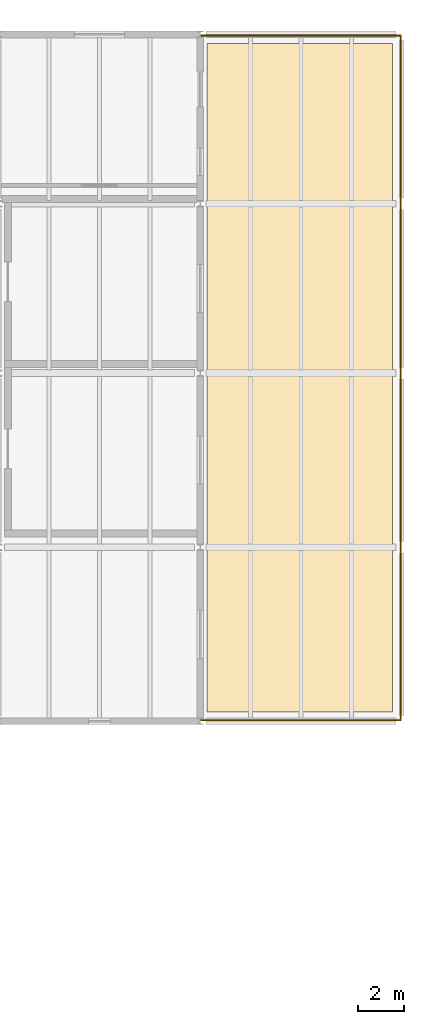
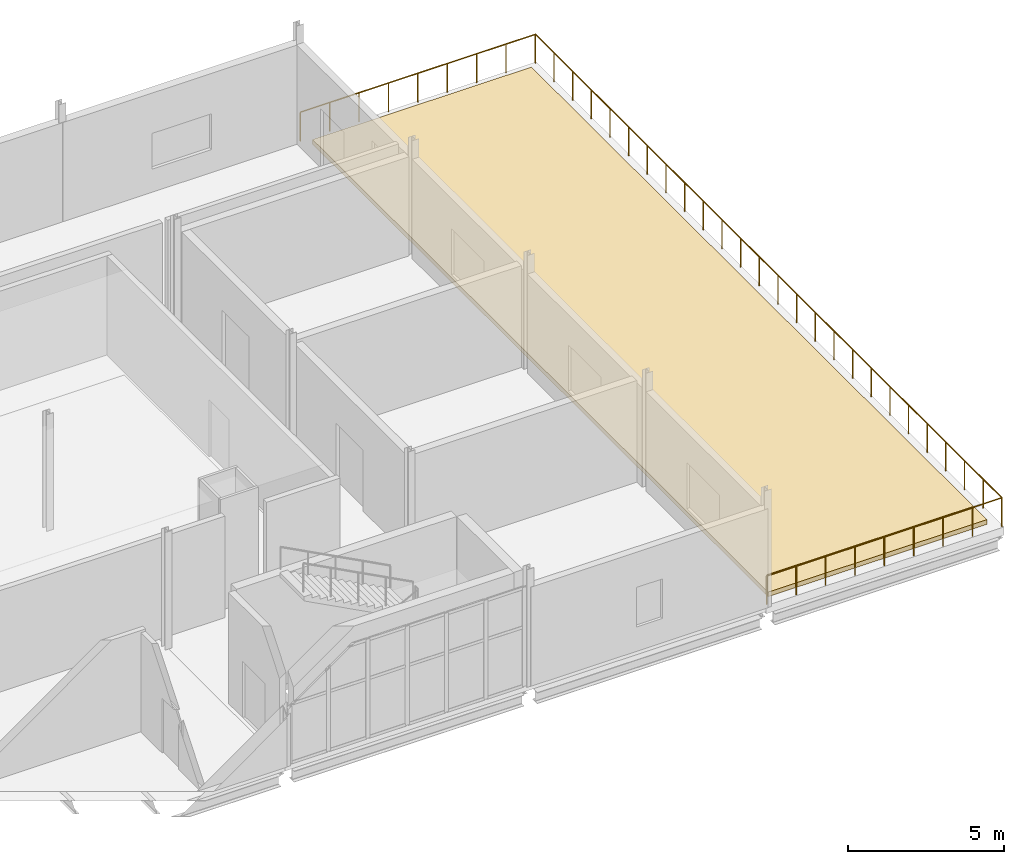
# One storey, part 37 of 37: 1 covering, 1 railing.
"""IFC4 building model written with IfcOpenShell, lengths in metres."""

from ifc_helpers import new_model, si_unit, direction, frame, origin, origin_2d, place, context, subcontext, project, spatial, polyline, circle, outline, extrude, material, layer, layer_set, type_object, element, save


model = new_model("IFC4")

# Units and contexts
model_context = context("Model", 3, precision=1e-05, world=origin(), true_north=direction((0.0, 1.0)))
body_context = subcontext(model_context, "Body", "Model", "MODEL_VIEW")
ifc_project = project(units=[si_unit("LENGTHUNIT", "METRE"), si_unit("AREAUNIT", "SQUARE_METRE"), si_unit("VOLUMEUNIT", "CUBIC_METRE"), si_unit("PLANEANGLEUNIT", "RADIAN"), si_unit("MASSUNIT", "GRAM", prefix="KILO")], contexts=[model_context])

# Site, building, storey
site_placement = place(None, origin())
site = spatial("IfcSite", under=ifc_project, at=site_placement, CompositionType="ELEMENT")
building_placement = place(site_placement, origin())
building = spatial("IfcBuilding", under=site, at=building_placement, Name="Shengluoqiao Park Theatre", CompositionType="ELEMENT")
storey_placement = place(building_placement, frame((0.0, 0.0, 19.199951171875)))
storey = spatial("IfcBuildingStorey", under=building, at=storey_placement, Name="L04", CompositionType="ELEMENT", Elevation=19.199951171875)

# Covering
ifc_material_1 = material(Name="Planted roof substrate")
ifc_layer = layer(ifc_material_1, 0.179931640625, Name="Planted roof substrate")
ifc_layer_set = layer_set([ifc_layer], Name="Planted roof substrate")
covering_type = type_object("IfcCoveringType", Name="ENV-COV-RFGRN", PredefinedType="ROOFING", material=ifc_layer_set)
covering_placement = place(storey_placement, origin())
element("IfcCovering", 1, at=covering_placement, inside=storey, type_object=covering_type, Name="V6 East Planted Roof Garden Substrate Layer", PredefinedType="ROOFING", context=body_context, shape_type="SweptSolid", body=[
    extrude(outline(polyline([(157.5, 84.39990234375), (165.60009765625, 84.39990234375), (165.60009765625, 113.60009765625), (157.5, 113.60009765625), (157.5, 84.39990234375)])), origin(), (0.0, 0.0, 1.0), 0.179931640625),
])

# Railing
ifc_material_2 = material(Name="Stainless steel 316", Category="steel")
railing_type = type_object("IfcRailingType", Name="ENV-RL-GRD115", PredefinedType="GUARDRAIL", material=ifc_material_2)
railing_placement = place(storey_placement, frame((157.25, 84.050048828125, 0.0)))
element("IfcRailing", 2, at=railing_placement, inside=storey, type_object=railing_type, Name="V6 East Planted Roof Garden Safety Guardrail", PredefinedType="GUARDRAIL", context=body_context, shape_type="SweptSolid", body=[
    extrude(circle(Radius=0.02392578125, at=origin_2d()), frame((0.0, 0.0, 1.1259765625), z_axis=(1.0, 0.0, 0.0), x_axis=(0.0, 1.0, 0.0)), (0.0, 0.0, 1.0), 8.699951171875),
    extrude(circle(Radius=0.02392578125, at=origin_2d()), frame((8.699951171875, 0.0, 1.1259765625), z_axis=(0.0, 1.0, 0.0), x_axis=(-1.0, 0.0, 0.0)), (0.0, 0.0, 1.0), 29.89990234375),
    extrude(circle(Radius=0.02392578125, at=origin_2d()), frame((8.699951171875, 29.89990234375, 1.1259765625), z_axis=(-1.0, 0.0, 0.0), x_axis=(0.0, -1.0, 0.0)), (0.0, 0.0, 1.0), 8.699951171875),
    extrude(circle(Radius=0.02099609375, at=origin_2d()), origin(), (0.0, 0.0, 1.0), 1.101806640625),
    extrude(circle(Radius=0.02099609375, at=origin_2d()), frame((1.08740234375, 0.0, 0.0)), (0.0, 0.0, 1.0), 1.101806640625),
    extrude(circle(Radius=0.02099609375, at=origin_2d()), frame((2.175048828125, 0.0, 0.0)), (0.0, 0.0, 1.0), 1.101806640625),
    extrude(circle(Radius=0.02099609375, at=origin_2d()), frame((3.262451171875, 0.0, 0.0)), (0.0, 0.0, 1.0), 1.101806640625),
    extrude(circle(Radius=0.02099609375, at=origin_2d()), frame((4.35009765625, 0.0, 0.0)), (0.0, 0.0, 1.0), 1.101806640625),
    extrude(circle(Radius=0.02099609375, at=origin_2d()), frame((5.4375, 0.0, 0.0)), (0.0, 0.0, 1.0), 1.101806640625),
    extrude(circle(Radius=0.02099609375, at=origin_2d()), frame((6.52490234375, 0.0, 0.0)), (0.0, 0.0, 1.0), 1.101806640625),
    extrude(circle(Radius=0.02099609375, at=origin_2d()), frame((7.612548828125, 0.0, 0.0)), (0.0, 0.0, 1.0), 1.101806640625),
    extrude(circle(Radius=0.02099609375, at=origin_2d()), frame((8.699951171875, 0.0, 0.0)), (0.0, 0.0, 1.0), 1.101806640625),
    extrude(circle(Radius=0.02099609375, at=origin_2d()), frame((8.699951171875, 1.196044921875, 0.0)), (0.0, 0.0, 1.0), 1.101806640625),
    extrude(circle(Radius=0.02099609375, at=origin_2d()), frame((8.699951171875, 2.39208984375, 0.0)), (0.0, 0.0, 1.0), 1.101806640625),
    extrude(circle(Radius=0.02099609375, at=origin_2d()), frame((8.699951171875, 3.587890625, 0.0)), (0.0, 0.0, 1.0), 1.101806640625),
    extrude(circle(Radius=0.02099609375, at=origin_2d()), frame((8.699951171875, 4.783935546875, 0.0)), (0.0, 0.0, 1.0), 1.101806640625),
    extrude(circle(Radius=0.02099609375, at=origin_2d()), frame((8.699951171875, 5.97998046875, 0.0)), (0.0, 0.0, 1.0), 1.101806640625),
    extrude(circle(Radius=0.02099609375, at=origin_2d()), frame((8.699951171875, 7.176025390625, 0.0)), (0.0, 0.0, 1.0), 1.101806640625),
    extrude(circle(Radius=0.02099609375, at=origin_2d()), frame((8.699951171875, 8.3720703125, 0.0)), (0.0, 0.0, 1.0), 1.101806640625),
    extrude(circle(Radius=0.02099609375, at=origin_2d()), frame((8.699951171875, 9.56787109375, 0.0)), (0.0, 0.0, 1.0), 1.101806640625),
    extrude(circle(Radius=0.02099609375, at=origin_2d()), frame((8.699951171875, 10.763916015625, 0.0)), (0.0, 0.0, 1.0), 1.101806640625),
    extrude(circle(Radius=0.02099609375, at=origin_2d()), frame((8.699951171875, 11.9599609375, 0.0)), (0.0, 0.0, 1.0), 1.101806640625),
    extrude(circle(Radius=0.02099609375, at=origin_2d()), frame((8.699951171875, 13.156005859375, 0.0)), (0.0, 0.0, 1.0), 1.101806640625),
    extrude(circle(Radius=0.02099609375, at=origin_2d()), frame((8.699951171875, 14.35205078125, 0.0)), (0.0, 0.0, 1.0), 1.101806640625),
    extrude(circle(Radius=0.02099609375, at=origin_2d()), frame((8.699951171875, 15.5478515625, 0.0)), (0.0, 0.0, 1.0), 1.101806640625),
    extrude(circle(Radius=0.02099609375, at=origin_2d()), frame((8.699951171875, 16.743896484375, 0.0)), (0.0, 0.0, 1.0), 1.101806640625),
    extrude(circle(Radius=0.02099609375, at=origin_2d()), frame((8.699951171875, 17.93994140625, 0.0)), (0.0, 0.0, 1.0), 1.101806640625),
    extrude(circle(Radius=0.02099609375, at=origin_2d()), frame((8.699951171875, 19.135986328125, 0.0)), (0.0, 0.0, 1.0), 1.101806640625),
    extrude(circle(Radius=0.02099609375, at=origin_2d()), frame((8.699951171875, 20.33203125, 0.0)), (0.0, 0.0, 1.0), 1.101806640625),
    extrude(circle(Radius=0.02099609375, at=origin_2d()), frame((8.699951171875, 21.52783203125, 0.0)), (0.0, 0.0, 1.0), 1.101806640625),
    extrude(circle(Radius=0.02099609375, at=origin_2d()), frame((8.699951171875, 22.723876953125, 0.0)), (0.0, 0.0, 1.0), 1.101806640625),
    extrude(circle(Radius=0.02099609375, at=origin_2d()), frame((8.699951171875, 23.919921875, 0.0)), (0.0, 0.0, 1.0), 1.101806640625),
    extrude(circle(Radius=0.02099609375, at=origin_2d()), frame((8.699951171875, 25.115966796875, 0.0)), (0.0, 0.0, 1.0), 1.101806640625),
    extrude(circle(Radius=0.02099609375, at=origin_2d()), frame((8.699951171875, 26.31201171875, 0.0)), (0.0, 0.0, 1.0), 1.101806640625),
    extrude(circle(Radius=0.02099609375, at=origin_2d()), frame((8.699951171875, 27.5078125, 0.0)), (0.0, 0.0, 1.0), 1.101806640625),
    extrude(circle(Radius=0.02099609375, at=origin_2d()), frame((8.699951171875, 28.703857421875, 0.0)), (0.0, 0.0, 1.0), 1.101806640625),
    extrude(circle(Radius=0.02099609375, at=origin_2d()), frame((8.699951171875, 29.89990234375, 0.0)), (0.0, 0.0, 1.0), 1.101806640625),
    extrude(circle(Radius=0.02099609375, at=origin_2d()), frame((7.612548828125, 29.89990234375, 0.0)), (0.0, 0.0, 1.0), 1.101806640625),
    extrude(circle(Radius=0.02099609375, at=origin_2d()), frame((6.52490234375, 29.89990234375, 0.0)), (0.0, 0.0, 1.0), 1.101806640625),
    extrude(circle(Radius=0.02099609375, at=origin_2d()), frame((5.4375, 29.89990234375, 0.0)), (0.0, 0.0, 1.0), 1.101806640625),
    extrude(circle(Radius=0.02099609375, at=origin_2d()), frame((4.35009765625, 29.89990234375, 0.0)), (0.0, 0.0, 1.0), 1.101806640625),
    extrude(circle(Radius=0.02099609375, at=origin_2d()), frame((3.262451171875, 29.89990234375, 0.0)), (0.0, 0.0, 1.0), 1.101806640625),
    extrude(circle(Radius=0.02099609375, at=origin_2d()), frame((2.175048828125, 29.89990234375, 0.0)), (0.0, 0.0, 1.0), 1.101806640625),
    extrude(circle(Radius=0.02099609375, at=origin_2d()), frame((1.08740234375, 29.89990234375, 0.0)), (0.0, 0.0, 1.0), 1.101806640625),
    extrude(circle(Radius=0.02099609375, at=origin_2d()), frame((0.0, 29.89990234375, 0.0)), (0.0, 0.0, 1.0), 1.101806640625),
])

save(model, "model.ifc")
